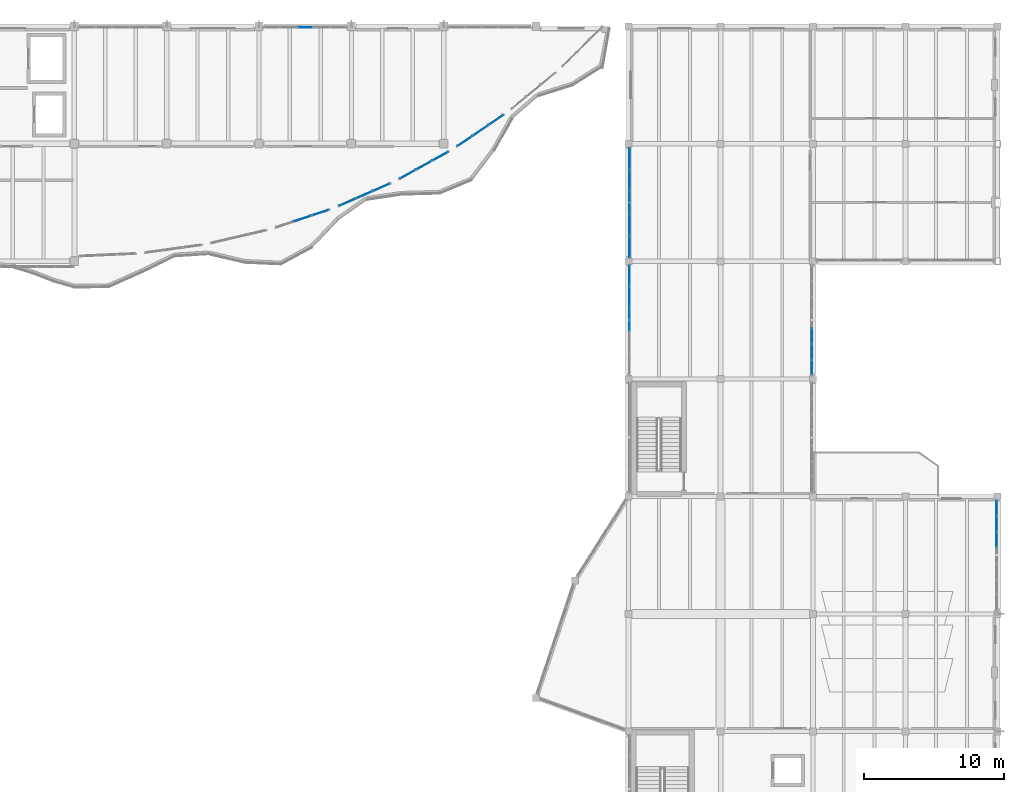
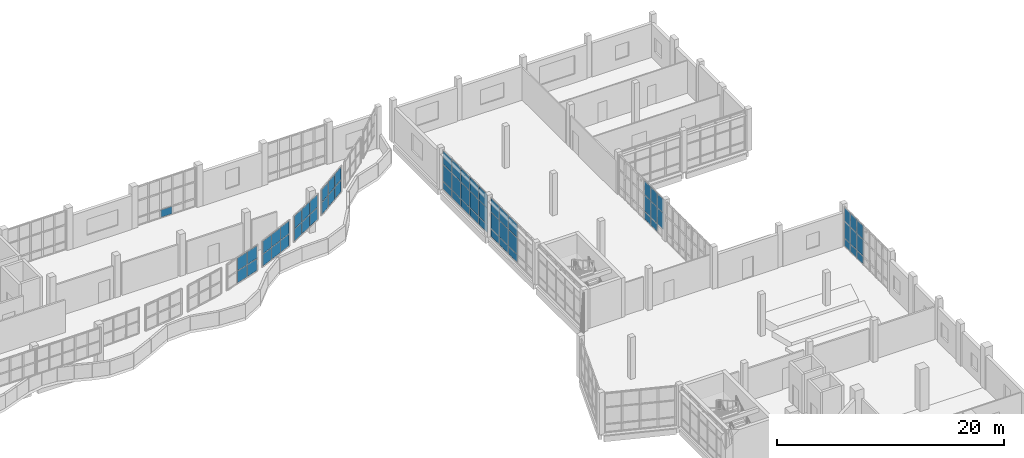
# One storey, part 41 of 76: 64 plates, 9 elements without a shape of their own.
"""IFC4 building model written with IfcOpenShell, lengths in metres."""

from ifc_helpers import new_model, si_unit, direction, frame, origin, origin_2d, place, context, subcontext, project, spatial, rectangle, extrude, material, layer, layer_set, type_object, element, aggregate, save


model = new_model("IFC4")

# Units and contexts
model_context = context("Model", 3, precision=1e-05, world=origin(), true_north=direction((0.0, 1.0)))
body_context = subcontext(model_context, "Body", "Model", "MODEL_VIEW")
ifc_project = project(units=[si_unit("LENGTHUNIT", "METRE"), si_unit("AREAUNIT", "SQUARE_METRE"), si_unit("VOLUMEUNIT", "CUBIC_METRE"), si_unit("PLANEANGLEUNIT", "RADIAN"), si_unit("MASSUNIT", "GRAM", prefix="KILO")], contexts=[model_context])

# Site, building, storey
site_placement = place(None, origin())
site = spatial("IfcSite", under=ifc_project, at=site_placement, CompositionType="ELEMENT")
building_placement = place(site_placement, origin())
building = spatial("IfcBuilding", under=site, at=building_placement, Name="Qaldarim Faculty of Natural and Applied Sciences", CompositionType="ELEMENT")
storey_placement = place(building_placement, frame((0.0, 0.0, 9.89990234375)))
storey = spatial("IfcBuildingStorey", under=building, at=storey_placement, Name="L02", CompositionType="ELEMENT", Elevation=9.89990234375)

# Curtain wall, plate
ifc_material_1 = material(Name="Anodised aluminium AW-6063", Category="aluminium")
curtain_wall_type_1 = type_object("IfcCurtainWallType", Name="CurtainWallSystem-M1200", PredefinedType="USERDEFINED", material=ifc_material_1)
curtain_wall_1_placement = place(storey_placement, origin())
curtain_wall_1 = element("IfcCurtainWall", 1, at=curtain_wall_1_placement, inside=storey, type_object=curtain_wall_type_1, Name="Curtain wall CW-L02-N-X20Y14", ObjectType="STICK CURTAIN WALL", PredefinedType="USERDEFINED")
ifc_material_2 = material(Name="Insulated low-e double glazing", Category="glass")
ifc_layer_1 = layer(ifc_material_2, 0.031982421875)
ifc_layer_set_1 = layer_set([ifc_layer_1], Name="Insulated low-e double glazing")
plate_type_1 = type_object("IfcPlateType", Name="SolarControlGlazingPanel-32", PredefinedType="CURTAIN_PANEL", material=ifc_layer_set_1)
plate_1_placement = place(storey_placement, frame((128.699951171875, 117.52001953125, 0.070068359375), z_axis=(0.0, 0.0, 1.0), x_axis=(-1.0, 0.0, 0.0)))
plate_1 = element("IfcPlate", 2, at=plate_1_placement, type_object=plate_type_1, Name="Glazed panel 3-1 of CW-L02-N-X20Y14", PredefinedType="CURTAIN_PANEL", context=body_context, shape_type="SweptSolid", body=[
    extrude(rectangle(XDim=1.132080078125, YDim=0.031982421875, at=origin_2d()), origin(), (0.0, 0.0, 1.0), 0.794921875),
])
aggregate(curtain_wall_1, [plate_1])

# Curtain wall, plates
curtain_wall_2_placement = place(storey_placement, origin())
curtain_wall_2 = element("IfcCurtainWall", 3, at=curtain_wall_2_placement, inside=storey, type_object=curtain_wall_type_1, Name="Curtain wall CW-L02-E-X25Y12", ObjectType="STICK CURTAIN WALL", PredefinedType="USERDEFINED")
plate_2_placement = place(storey_placement, frame((164.919921875, 93.2275390625, 0.93505859375), z_axis=(0.0, 0.0, 1.0), x_axis=(0.0, 1.0, 0.0)))
plate_2 = element("IfcPlate", 4, at=plate_2_placement, type_object=plate_type_1, Name="Glazed panel 1-2 of CW-L02-E-X25Y12", PredefinedType="CURTAIN_PANEL", context=body_context, shape_type="SweptSolid", body=[
    extrude(rectangle(XDim=1.02490234375, YDim=0.031982421875, at=origin_2d()), origin(), (0.0, 0.0, 1.0), 1.72998046875),
])
plate_3_placement = place(storey_placement, frame((164.919921875, 93.2275390625, 2.735107421875), z_axis=(0.0, 0.0, 1.0), x_axis=(0.0, 1.0, 0.0)))
plate_3 = element("IfcPlate", 5, at=plate_3_placement, type_object=plate_type_1, Name="Glazed panel 1-3 of CW-L02-E-X25Y12", PredefinedType="CURTAIN_PANEL", context=body_context, shape_type="SweptSolid", body=[
    extrude(rectangle(XDim=1.02490234375, YDim=0.031982421875, at=origin_2d()), origin(), (0.0, 0.0, 1.0), 1.43505859375),
])
plate_4_placement = place(storey_placement, frame((164.919921875, 94.340087890625, 0.070068359375), z_axis=(0.0, 0.0, 1.0), x_axis=(0.0, 1.0, 0.0)))
plate_4 = element("IfcPlate", 6, at=plate_4_placement, type_object=plate_type_1, Name="Glazed panel 2-1 of CW-L02-E-X25Y12", PredefinedType="CURTAIN_PANEL", context=body_context, shape_type="SweptSolid", body=[
    extrude(rectangle(XDim=1.06005859375, YDim=0.031982421875, at=origin_2d()), origin(), (0.0, 0.0, 1.0), 0.794921875),
])
plate_5_placement = place(storey_placement, frame((164.919921875, 94.340087890625, 0.93505859375), z_axis=(0.0, 0.0, 1.0), x_axis=(0.0, 1.0, 0.0)))
plate_5 = element("IfcPlate", 7, at=plate_5_placement, type_object=plate_type_1, Name="Glazed panel 2-2 of CW-L02-E-X25Y12", PredefinedType="CURTAIN_PANEL", context=body_context, shape_type="SweptSolid", body=[
    extrude(rectangle(XDim=1.06005859375, YDim=0.031982421875, at=origin_2d()), origin(), (0.0, 0.0, 1.0), 1.72998046875),
])
plate_6_placement = place(storey_placement, frame((164.919921875, 94.340087890625, 2.735107421875), z_axis=(0.0, 0.0, 1.0), x_axis=(0.0, 1.0, 0.0)))
plate_6 = element("IfcPlate", 8, at=plate_6_placement, type_object=plate_type_1, Name="Glazed panel 2-3 of CW-L02-E-X25Y12", PredefinedType="CURTAIN_PANEL", context=body_context, shape_type="SweptSolid", body=[
    extrude(rectangle(XDim=1.06005859375, YDim=0.031982421875, at=origin_2d()), origin(), (0.0, 0.0, 1.0), 1.43505859375),
])
plate_7_placement = place(storey_placement, frame((164.919921875, 95.469970703125, 0.070068359375), z_axis=(0.0, 0.0, 1.0), x_axis=(0.0, 1.0, 0.0)))
plate_7 = element("IfcPlate", 9, at=plate_7_placement, type_object=plate_type_1, Name="Glazed panel 3-1 of CW-L02-E-X25Y12", PredefinedType="CURTAIN_PANEL", context=body_context, shape_type="SweptSolid", body=[
    extrude(rectangle(XDim=1.06005859375, YDim=0.031982421875, at=origin_2d()), origin(), (0.0, 0.0, 1.0), 0.794921875),
])
plate_8_placement = place(storey_placement, frame((164.919921875, 95.469970703125, 0.93505859375), z_axis=(0.0, 0.0, 1.0), x_axis=(0.0, 1.0, 0.0)))
plate_8 = element("IfcPlate", 10, at=plate_8_placement, type_object=plate_type_1, Name="Glazed panel 3-2 of CW-L02-E-X25Y12", PredefinedType="CURTAIN_PANEL", context=body_context, shape_type="SweptSolid", body=[
    extrude(rectangle(XDim=1.06005859375, YDim=0.031982421875, at=origin_2d()), origin(), (0.0, 0.0, 1.0), 1.72998046875),
])
plate_9_placement = place(storey_placement, frame((164.919921875, 95.469970703125, 2.735107421875), z_axis=(0.0, 0.0, 1.0), x_axis=(0.0, 1.0, 0.0)))
plate_9 = element("IfcPlate", 11, at=plate_9_placement, type_object=plate_type_1, Name="Glazed panel 3-3 of CW-L02-E-X25Y12", PredefinedType="CURTAIN_PANEL", context=body_context, shape_type="SweptSolid", body=[
    extrude(rectangle(XDim=1.06005859375, YDim=0.031982421875, at=origin_2d()), origin(), (0.0, 0.0, 1.0), 1.43505859375),
])
aggregate(curtain_wall_2, [plate_2, plate_3, plate_4, plate_5, plate_6, plate_7, plate_8, plate_9])

curtain_wall_3_placement = place(storey_placement, origin())
curtain_wall_3 = element("IfcCurtainWall", 12, at=curtain_wall_3_placement, inside=storey, type_object=curtain_wall_type_1, Name="Curtain wall CW-L02-E-X27Y10", ObjectType="STICK CURTAIN WALL", PredefinedType="USERDEFINED")
plate_10_placement = place(storey_placement, frame((178.1201171875, 80.929931640625, 0.070068359375), z_axis=(0.0, 0.0, 1.0), x_axis=(0.0, 1.0, 0.0)))
plate_10 = element("IfcPlate", 13, at=plate_10_placement, type_object=plate_type_1, Name="Glazed panel 5-1 of CW-L02-E-X27Y10", PredefinedType="CURTAIN_PANEL", context=body_context, shape_type="SweptSolid", body=[
    extrude(rectangle(XDim=1.06005859375, YDim=0.031982421875, at=origin_2d()), origin(), (0.0, 0.0, 1.0), 0.794921875),
])
plate_11_placement = place(storey_placement, frame((178.1201171875, 80.929931640625, 0.93505859375), z_axis=(0.0, 0.0, 1.0), x_axis=(0.0, 1.0, 0.0)))
plate_11 = element("IfcPlate", 14, at=plate_11_placement, type_object=plate_type_1, Name="Glazed panel 5-2 of CW-L02-E-X27Y10", PredefinedType="CURTAIN_PANEL", context=body_context, shape_type="SweptSolid", body=[
    extrude(rectangle(XDim=1.06005859375, YDim=0.031982421875, at=origin_2d()), origin(), (0.0, 0.0, 1.0), 1.72998046875),
])
plate_12_placement = place(storey_placement, frame((178.1201171875, 80.929931640625, 2.735107421875), z_axis=(0.0, 0.0, 1.0), x_axis=(0.0, 1.0, 0.0)))
plate_12 = element("IfcPlate", 15, at=plate_12_placement, type_object=plate_type_1, Name="Glazed panel 5-3 of CW-L02-E-X27Y10", PredefinedType="CURTAIN_PANEL", context=body_context, shape_type="SweptSolid", body=[
    extrude(rectangle(XDim=1.06005859375, YDim=0.031982421875, at=origin_2d()), origin(), (0.0, 0.0, 1.0), 1.43505859375),
])
plate_13_placement = place(storey_placement, frame((178.1201171875, 82.06005859375, 0.070068359375), z_axis=(0.0, 0.0, 1.0), x_axis=(0.0, 1.0, 0.0)))
plate_13 = element("IfcPlate", 16, at=plate_13_placement, type_object=plate_type_1, Name="Glazed panel 6-1 of CW-L02-E-X27Y10", PredefinedType="CURTAIN_PANEL", context=body_context, shape_type="SweptSolid", body=[
    extrude(rectangle(XDim=1.06005859375, YDim=0.031982421875, at=origin_2d()), origin(), (0.0, 0.0, 1.0), 0.794921875),
])
plate_14_placement = place(storey_placement, frame((178.1201171875, 82.06005859375, 0.93505859375), z_axis=(0.0, 0.0, 1.0), x_axis=(0.0, 1.0, 0.0)))
plate_14 = element("IfcPlate", 17, at=plate_14_placement, type_object=plate_type_1, Name="Glazed panel 6-2 of CW-L02-E-X27Y10", PredefinedType="CURTAIN_PANEL", context=body_context, shape_type="SweptSolid", body=[
    extrude(rectangle(XDim=1.06005859375, YDim=0.031982421875, at=origin_2d()), origin(), (0.0, 0.0, 1.0), 1.72998046875),
])
plate_15_placement = place(storey_placement, frame((178.1201171875, 82.06005859375, 2.735107421875), z_axis=(0.0, 0.0, 1.0), x_axis=(0.0, 1.0, 0.0)))
plate_15 = element("IfcPlate", 18, at=plate_15_placement, type_object=plate_type_1, Name="Glazed panel 6-3 of CW-L02-E-X27Y10", PredefinedType="CURTAIN_PANEL", context=body_context, shape_type="SweptSolid", body=[
    extrude(rectangle(XDim=1.06005859375, YDim=0.031982421875, at=origin_2d()), origin(), (0.0, 0.0, 1.0), 1.43505859375),
])
plate_16_placement = place(storey_placement, frame((178.1201171875, 83.172607421875, 0.070068359375), z_axis=(0.0, 0.0, 1.0), x_axis=(0.0, 1.0, 0.0)))
plate_16 = element("IfcPlate", 19, at=plate_16_placement, type_object=plate_type_1, Name="Glazed panel 7-1 of CW-L02-E-X27Y10", PredefinedType="CURTAIN_PANEL", context=body_context, shape_type="SweptSolid", body=[
    extrude(rectangle(XDim=1.02490234375, YDim=0.031982421875, at=origin_2d()), origin(), (0.0, 0.0, 1.0), 0.794921875),
])
plate_17_placement = place(storey_placement, frame((178.1201171875, 83.172607421875, 0.93505859375), z_axis=(0.0, 0.0, 1.0), x_axis=(0.0, 1.0, 0.0)))
plate_17 = element("IfcPlate", 20, at=plate_17_placement, type_object=plate_type_1, Name="Glazed panel 7-2 of CW-L02-E-X27Y10", PredefinedType="CURTAIN_PANEL", context=body_context, shape_type="SweptSolid", body=[
    extrude(rectangle(XDim=1.02490234375, YDim=0.031982421875, at=origin_2d()), origin(), (0.0, 0.0, 1.0), 1.72998046875),
])
plate_18_placement = place(storey_placement, frame((178.1201171875, 83.172607421875, 2.735107421875), z_axis=(0.0, 0.0, 1.0), x_axis=(0.0, 1.0, 0.0)))
plate_18 = element("IfcPlate", 21, at=plate_18_placement, type_object=plate_type_1, Name="Glazed panel 7-3 of CW-L02-E-X27Y10", PredefinedType="CURTAIN_PANEL", context=body_context, shape_type="SweptSolid", body=[
    extrude(rectangle(XDim=1.02490234375, YDim=0.031982421875, at=origin_2d()), origin(), (0.0, 0.0, 1.0), 1.43505859375),
])
aggregate(curtain_wall_3, [plate_10, plate_11, plate_12, plate_13, plate_14, plate_15, plate_16, plate_17, plate_18])

curtain_wall_type_2 = type_object("IfcCurtainWallType", Name="CurtainWallSystem-M1600", PredefinedType="USERDEFINED", material=ifc_material_1)
curtain_wall_4_placement = place(storey_placement, origin())
curtain_wall_4 = element("IfcCurtainWall", 22, at=curtain_wall_4_placement, inside=storey, type_object=curtain_wall_type_2, Name="Curtain wall CW-L02-W-X24Y12", ObjectType="UNITISED FACADE", PredefinedType="USERDEFINED")
ifc_layer_2 = layer(ifc_material_2, 0.028076171875)
ifc_layer_set_2 = layer_set([ifc_layer_2], Name="Insulated low-e double glazing")
plate_type_2 = type_object("IfcPlateType", Name="VisionGlazingPanel-28", PredefinedType="CURTAIN_PANEL", material=ifc_layer_set_2)
plate_19_placement = place(storey_placement, frame((151.8798828125, 99.7490234375, 0.06005859375), z_axis=(0.0, 0.0, 1.0), x_axis=(0.0, -1.0, 0.0)))
plate_19 = element("IfcPlate", 23, at=plate_19_placement, type_object=plate_type_2, Name="Glazed panel 1-1 of CW-L02-W-X24Y12", PredefinedType="CURTAIN_PANEL", context=body_context, shape_type="SweptSolid", body=[
    extrude(rectangle(XDim=1.491943359375, YDim=0.028076171875, at=origin_2d()), origin(), (0.0, 0.0, 1.0), 0.81005859375),
])
plate_20_placement = place(storey_placement, frame((151.8798828125, 99.7490234375, 0.93017578125), z_axis=(0.0, 0.0, 1.0), x_axis=(0.0, -1.0, 0.0)))
plate_20 = element("IfcPlate", 24, at=plate_20_placement, type_object=plate_type_2, Name="Glazed panel 1-2 of CW-L02-W-X24Y12", PredefinedType="CURTAIN_PANEL", context=body_context, shape_type="SweptSolid", body=[
    extrude(rectangle(XDim=1.491943359375, YDim=0.028076171875, at=origin_2d()), origin(), (0.0, 0.0, 1.0), 1.739990234375),
])
plate_21_placement = place(storey_placement, frame((151.8798828125, 99.7490234375, 2.72998046875), z_axis=(0.0, 0.0, 1.0), x_axis=(0.0, -1.0, 0.0)))
plate_21 = element("IfcPlate", 25, at=plate_21_placement, type_object=plate_type_2, Name="Glazed panel 1-3 of CW-L02-W-X24Y12", PredefinedType="CURTAIN_PANEL", context=body_context, shape_type="SweptSolid", body=[
    extrude(rectangle(XDim=1.491943359375, YDim=0.028076171875, at=origin_2d()), origin(), (0.0, 0.0, 1.0), 1.449951171875),
])
plate_22_placement = place(storey_placement, frame((151.8798828125, 98.181884765625, 0.06005859375), z_axis=(0.0, 0.0, 1.0), x_axis=(0.0, -1.0, 0.0)))
plate_22 = element("IfcPlate", 26, at=plate_22_placement, type_object=plate_type_2, Name="Glazed panel 2-1 of CW-L02-W-X24Y12", PredefinedType="CURTAIN_PANEL", context=body_context, shape_type="SweptSolid", body=[
    extrude(rectangle(XDim=1.52197265625, YDim=0.028076171875, at=origin_2d()), origin(), (0.0, 0.0, 1.0), 0.81005859375),
])
plate_23_placement = place(storey_placement, frame((151.8798828125, 98.181884765625, 0.93017578125), z_axis=(0.0, 0.0, 1.0), x_axis=(0.0, -1.0, 0.0)))
plate_23 = element("IfcPlate", 27, at=plate_23_placement, type_object=plate_type_2, Name="Glazed panel 2-2 of CW-L02-W-X24Y12", PredefinedType="CURTAIN_PANEL", context=body_context, shape_type="SweptSolid", body=[
    extrude(rectangle(XDim=1.52197265625, YDim=0.028076171875, at=origin_2d()), origin(), (0.0, 0.0, 1.0), 1.739990234375),
])
plate_24_placement = place(storey_placement, frame((151.8798828125, 98.181884765625, 2.72998046875), z_axis=(0.0, 0.0, 1.0), x_axis=(0.0, -1.0, 0.0)))
plate_24 = element("IfcPlate", 28, at=plate_24_placement, type_object=plate_type_2, Name="Glazed panel 2-3 of CW-L02-W-X24Y12", PredefinedType="CURTAIN_PANEL", context=body_context, shape_type="SweptSolid", body=[
    extrude(rectangle(XDim=1.52197265625, YDim=0.028076171875, at=origin_2d()), origin(), (0.0, 0.0, 1.0), 1.449951171875),
])
plate_25_placement = place(storey_placement, frame((151.8798828125, 96.60009765625, 0.06005859375), z_axis=(0.0, 0.0, 1.0), x_axis=(0.0, -1.0, 0.0)))
plate_25 = element("IfcPlate", 29, at=plate_25_placement, type_object=plate_type_2, Name="Glazed panel 3-1 of CW-L02-W-X24Y12", PredefinedType="CURTAIN_PANEL", context=body_context, shape_type="SweptSolid", body=[
    extrude(rectangle(XDim=1.52197265625, YDim=0.028076171875, at=origin_2d()), origin(), (0.0, 0.0, 1.0), 0.81005859375),
])
plate_26_placement = place(storey_placement, frame((151.8798828125, 96.60009765625, 0.93017578125), z_axis=(0.0, 0.0, 1.0), x_axis=(0.0, -1.0, 0.0)))
plate_26 = element("IfcPlate", 30, at=plate_26_placement, type_object=plate_type_2, Name="Glazed panel 3-2 of CW-L02-W-X24Y12", PredefinedType="CURTAIN_PANEL", context=body_context, shape_type="SweptSolid", body=[
    extrude(rectangle(XDim=1.52197265625, YDim=0.028076171875, at=origin_2d()), origin(), (0.0, 0.0, 1.0), 1.739990234375),
])
plate_27_placement = place(storey_placement, frame((151.8798828125, 96.60009765625, 2.72998046875), z_axis=(0.0, 0.0, 1.0), x_axis=(0.0, -1.0, 0.0)))
plate_27 = element("IfcPlate", 31, at=plate_27_placement, type_object=plate_type_2, Name="Glazed panel 3-3 of CW-L02-W-X24Y12", PredefinedType="CURTAIN_PANEL", context=body_context, shape_type="SweptSolid", body=[
    extrude(rectangle(XDim=1.52197265625, YDim=0.028076171875, at=origin_2d()), origin(), (0.0, 0.0, 1.0), 1.449951171875),
])
aggregate(curtain_wall_4, [plate_19, plate_20, plate_21, plate_22, plate_23, plate_24, plate_25, plate_26, plate_27])

curtain_wall_5_placement = place(storey_placement, origin())
curtain_wall_5 = element("IfcCurtainWall", 32, at=curtain_wall_5_placement, inside=storey, type_object=curtain_wall_type_2, Name="Curtain wall CW-L02-W-X24Y13", ObjectType="UNITISED FACADE", PredefinedType="USERDEFINED")
plate_28_placement = place(storey_placement, frame((151.8798828125, 108.14892578125, 0.06005859375), z_axis=(0.0, 0.0, 1.0), x_axis=(0.0, -1.0, 0.0)))
plate_28 = element("IfcPlate", 33, at=plate_28_placement, type_object=plate_type_2, Name="Glazed panel 1-1 of CW-L02-W-X24Y13", PredefinedType="CURTAIN_PANEL", context=body_context, shape_type="SweptSolid", body=[
    extrude(rectangle(XDim=1.491943359375, YDim=0.028076171875, at=origin_2d()), origin(), (0.0, 0.0, 1.0), 0.81005859375),
])
plate_29_placement = place(storey_placement, frame((151.8798828125, 108.14892578125, 0.93017578125), z_axis=(0.0, 0.0, 1.0), x_axis=(0.0, -1.0, 0.0)))
plate_29 = element("IfcPlate", 34, at=plate_29_placement, type_object=plate_type_2, Name="Glazed panel 1-2 of CW-L02-W-X24Y13", PredefinedType="CURTAIN_PANEL", context=body_context, shape_type="SweptSolid", body=[
    extrude(rectangle(XDim=1.491943359375, YDim=0.028076171875, at=origin_2d()), origin(), (0.0, 0.0, 1.0), 1.739990234375),
])
plate_30_placement = place(storey_placement, frame((151.8798828125, 108.14892578125, 2.72998046875), z_axis=(0.0, 0.0, 1.0), x_axis=(0.0, -1.0, 0.0)))
plate_30 = element("IfcPlate", 35, at=plate_30_placement, type_object=plate_type_2, Name="Glazed panel 1-3 of CW-L02-W-X24Y13", PredefinedType="CURTAIN_PANEL", context=body_context, shape_type="SweptSolid", body=[
    extrude(rectangle(XDim=1.491943359375, YDim=0.028076171875, at=origin_2d()), origin(), (0.0, 0.0, 1.0), 1.449951171875),
])
plate_31_placement = place(storey_placement, frame((151.8798828125, 106.58203125, 0.06005859375), z_axis=(0.0, 0.0, 1.0), x_axis=(0.0, -1.0, 0.0)))
plate_31 = element("IfcPlate", 36, at=plate_31_placement, type_object=plate_type_2, Name="Glazed panel 2-1 of CW-L02-W-X24Y13", PredefinedType="CURTAIN_PANEL", context=body_context, shape_type="SweptSolid", body=[
    extrude(rectangle(XDim=1.52197265625, YDim=0.028076171875, at=origin_2d()), origin(), (0.0, 0.0, 1.0), 0.81005859375),
])
plate_32_placement = place(storey_placement, frame((151.8798828125, 106.58203125, 0.93017578125), z_axis=(0.0, 0.0, 1.0), x_axis=(0.0, -1.0, 0.0)))
plate_32 = element("IfcPlate", 37, at=plate_32_placement, type_object=plate_type_2, Name="Glazed panel 2-2 of CW-L02-W-X24Y13", PredefinedType="CURTAIN_PANEL", context=body_context, shape_type="SweptSolid", body=[
    extrude(rectangle(XDim=1.52197265625, YDim=0.028076171875, at=origin_2d()), origin(), (0.0, 0.0, 1.0), 1.739990234375),
])
plate_33_placement = place(storey_placement, frame((151.8798828125, 106.58203125, 2.72998046875), z_axis=(0.0, 0.0, 1.0), x_axis=(0.0, -1.0, 0.0)))
plate_33 = element("IfcPlate", 38, at=plate_33_placement, type_object=plate_type_2, Name="Glazed panel 2-3 of CW-L02-W-X24Y13", PredefinedType="CURTAIN_PANEL", context=body_context, shape_type="SweptSolid", body=[
    extrude(rectangle(XDim=1.52197265625, YDim=0.028076171875, at=origin_2d()), origin(), (0.0, 0.0, 1.0), 1.449951171875),
])
plate_34_placement = place(storey_placement, frame((151.8798828125, 105.0, 0.06005859375), z_axis=(0.0, 0.0, 1.0), x_axis=(0.0, -1.0, 0.0)))
plate_34 = element("IfcPlate", 39, at=plate_34_placement, type_object=plate_type_2, Name="Glazed panel 3-1 of CW-L02-W-X24Y13", PredefinedType="CURTAIN_PANEL", context=body_context, shape_type="SweptSolid", body=[
    extrude(rectangle(XDim=1.52197265625, YDim=0.028076171875, at=origin_2d()), origin(), (0.0, 0.0, 1.0), 0.81005859375),
])
plate_35_placement = place(storey_placement, frame((151.8798828125, 105.0, 0.93017578125), z_axis=(0.0, 0.0, 1.0), x_axis=(0.0, -1.0, 0.0)))
plate_35 = element("IfcPlate", 40, at=plate_35_placement, type_object=plate_type_2, Name="Glazed panel 3-2 of CW-L02-W-X24Y13", PredefinedType="CURTAIN_PANEL", context=body_context, shape_type="SweptSolid", body=[
    extrude(rectangle(XDim=1.52197265625, YDim=0.028076171875, at=origin_2d()), origin(), (0.0, 0.0, 1.0), 1.739990234375),
])
plate_36_placement = place(storey_placement, frame((151.8798828125, 105.0, 2.72998046875), z_axis=(0.0, 0.0, 1.0), x_axis=(0.0, -1.0, 0.0)))
plate_36 = element("IfcPlate", 41, at=plate_36_placement, type_object=plate_type_2, Name="Glazed panel 3-3 of CW-L02-W-X24Y13", PredefinedType="CURTAIN_PANEL", context=body_context, shape_type="SweptSolid", body=[
    extrude(rectangle(XDim=1.52197265625, YDim=0.028076171875, at=origin_2d()), origin(), (0.0, 0.0, 1.0), 1.449951171875),
])
plate_37_placement = place(storey_placement, frame((151.8798828125, 103.41796875, 0.06005859375), z_axis=(0.0, 0.0, 1.0), x_axis=(0.0, -1.0, 0.0)))
plate_37 = element("IfcPlate", 42, at=plate_37_placement, type_object=plate_type_2, Name="Glazed panel 4-1 of CW-L02-W-X24Y13", PredefinedType="CURTAIN_PANEL", context=body_context, shape_type="SweptSolid", body=[
    extrude(rectangle(XDim=1.52197265625, YDim=0.028076171875, at=origin_2d()), origin(), (0.0, 0.0, 1.0), 0.81005859375),
])
plate_38_placement = place(storey_placement, frame((151.8798828125, 103.41796875, 0.93017578125), z_axis=(0.0, 0.0, 1.0), x_axis=(0.0, -1.0, 0.0)))
plate_38 = element("IfcPlate", 43, at=plate_38_placement, type_object=plate_type_2, Name="Glazed panel 4-2 of CW-L02-W-X24Y13", PredefinedType="CURTAIN_PANEL", context=body_context, shape_type="SweptSolid", body=[
    extrude(rectangle(XDim=1.52197265625, YDim=0.028076171875, at=origin_2d()), origin(), (0.0, 0.0, 1.0), 1.739990234375),
])
plate_39_placement = place(storey_placement, frame((151.8798828125, 103.41796875, 2.72998046875), z_axis=(0.0, 0.0, 1.0), x_axis=(0.0, -1.0, 0.0)))
plate_39 = element("IfcPlate", 44, at=plate_39_placement, type_object=plate_type_2, Name="Glazed panel 4-3 of CW-L02-W-X24Y13", PredefinedType="CURTAIN_PANEL", context=body_context, shape_type="SweptSolid", body=[
    extrude(rectangle(XDim=1.52197265625, YDim=0.028076171875, at=origin_2d()), origin(), (0.0, 0.0, 1.0), 1.449951171875),
])
plate_40_placement = place(storey_placement, frame((151.8798828125, 101.85107421875, 0.06005859375), z_axis=(0.0, 0.0, 1.0), x_axis=(0.0, -1.0, 0.0)))
plate_40 = element("IfcPlate", 45, at=plate_40_placement, type_object=plate_type_2, Name="Glazed panel 5-1 of CW-L02-W-X24Y13", PredefinedType="CURTAIN_PANEL", context=body_context, shape_type="SweptSolid", body=[
    extrude(rectangle(XDim=1.491943359375, YDim=0.028076171875, at=origin_2d()), origin(), (0.0, 0.0, 1.0), 0.81005859375),
])
plate_41_placement = place(storey_placement, frame((151.8798828125, 101.85107421875, 0.93017578125), z_axis=(0.0, 0.0, 1.0), x_axis=(0.0, -1.0, 0.0)))
plate_41 = element("IfcPlate", 46, at=plate_41_placement, type_object=plate_type_2, Name="Glazed panel 5-2 of CW-L02-W-X24Y13", PredefinedType="CURTAIN_PANEL", context=body_context, shape_type="SweptSolid", body=[
    extrude(rectangle(XDim=1.491943359375, YDim=0.028076171875, at=origin_2d()), origin(), (0.0, 0.0, 1.0), 1.739990234375),
])
plate_42_placement = place(storey_placement, frame((151.8798828125, 101.85107421875, 2.72998046875), z_axis=(0.0, 0.0, 1.0), x_axis=(0.0, -1.0, 0.0)))
plate_42 = element("IfcPlate", 47, at=plate_42_placement, type_object=plate_type_2, Name="Glazed panel 5-3 of CW-L02-W-X24Y13", PredefinedType="CURTAIN_PANEL", context=body_context, shape_type="SweptSolid", body=[
    extrude(rectangle(XDim=1.491943359375, YDim=0.028076171875, at=origin_2d()), origin(), (0.0, 0.0, 1.0), 1.449951171875),
])
aggregate(curtain_wall_5, [plate_28, plate_29, plate_30, plate_31, plate_32, plate_33, plate_34, plate_35, plate_36, plate_37, plate_38, plate_39, plate_40, plate_41, plate_42])

curtain_wall_type_3 = type_object("IfcCurtainWallType", Name="CurtainWallSystem-M1400", PredefinedType="USERDEFINED", material=ifc_material_1)
curtain_wall_6_placement = place(storey_placement, origin())
curtain_wall_6 = element("IfcCurtainWall", 48, at=curtain_wall_6_placement, inside=storey, type_object=curtain_wall_type_3, Name="Curtain wall CW-V4ARC-L02-06", ObjectType="STICK CURTAIN WALL", PredefinedType="USERDEFINED")
plate_43_placement = place(storey_placement, frame((128.512451171875, 103.85009765625, 1.51025390625), z_axis=(0.0, 0.0, 1.0), x_axis=(0.94856152259, 0.316592858196, 0.0)))
plate_43 = element("IfcPlate", 49, at=plate_43_placement, type_object=plate_type_2, Name="Glazed panel 2-1 of CW-V4ARC-L02-06", PredefinedType="CURTAIN_PANEL", context=body_context, shape_type="SweptSolid", body=[
    extrude(rectangle(XDim=1.28759765625, YDim=0.028076171875, at=origin_2d()), origin(), (0.0, 0.0, 1.0), 1.260009765625),
])
plate_44_placement = place(storey_placement, frame((128.512451171875, 103.85009765625, 2.830078125), z_axis=(0.0, 0.0, 1.0), x_axis=(0.94856152259, 0.316592858196, 0.0)))
plate_44 = element("IfcPlate", 50, at=plate_44_placement, type_object=plate_type_2, Name="Glazed panel 2-2 of CW-V4ARC-L02-06", PredefinedType="CURTAIN_PANEL", context=body_context, shape_type="SweptSolid", body=[
    extrude(rectangle(XDim=1.28759765625, YDim=0.028076171875, at=origin_2d()), origin(), (0.0, 0.0, 1.0), 1.35009765625),
])
plate_45_placement = place(storey_placement, frame((129.776611328125, 104.27197265625, 1.51025390625), z_axis=(0.0, 0.0, 1.0), x_axis=(0.94856152259, 0.316592858196, 0.0)))
plate_45 = element("IfcPlate", 51, at=plate_45_placement, type_object=plate_type_2, Name="Glazed panel 3-1 of CW-V4ARC-L02-06", PredefinedType="CURTAIN_PANEL", context=body_context, shape_type="SweptSolid", body=[
    extrude(rectangle(XDim=1.2578125, YDim=0.028076171875, at=origin_2d()), origin(), (0.0, 0.0, 1.0), 1.260009765625),
])
plate_46_placement = place(storey_placement, frame((129.776611328125, 104.27197265625, 2.830078125), z_axis=(0.0, 0.0, 1.0), x_axis=(0.94856152259, 0.316592858196, 0.0)))
plate_46 = element("IfcPlate", 52, at=plate_46_placement, type_object=plate_type_2, Name="Glazed panel 3-2 of CW-V4ARC-L02-06", PredefinedType="CURTAIN_PANEL", context=body_context, shape_type="SweptSolid", body=[
    extrude(rectangle(XDim=1.2578125, YDim=0.028076171875, at=origin_2d()), origin(), (0.0, 0.0, 1.0), 1.35009765625),
])
aggregate(curtain_wall_6, [plate_43, plate_44, plate_45, plate_46])

curtain_wall_7_placement = place(storey_placement, origin())
curtain_wall_7 = element("IfcCurtainWall", 53, at=curtain_wall_7_placement, inside=storey, type_object=curtain_wall_type_3, Name="Curtain wall CW-V4ARC-L02-08", ObjectType="STICK CURTAIN WALL", PredefinedType="USERDEFINED")
plate_47_placement = place(storey_placement, frame((131.71630859375, 105.017578125, 1.51025390625), z_axis=(0.0, 0.0, 1.0), x_axis=(0.915332565632, 0.40269876371, 0.0)))
plate_47 = element("IfcPlate", 54, at=plate_47_placement, type_object=plate_type_2, Name="Glazed panel 1-1 of CW-V4ARC-L02-08", PredefinedType="CURTAIN_PANEL", context=body_context, shape_type="SweptSolid", body=[
    extrude(rectangle(XDim=1.25927734375, YDim=0.028076171875, at=origin_2d()), origin(), (0.0, 0.0, 1.0), 1.260009765625),
])
plate_48_placement = place(storey_placement, frame((131.71630859375, 105.017578125, 2.830078125), z_axis=(0.0, 0.0, 1.0), x_axis=(0.915332565632, 0.40269876371, 0.0)))
plate_48 = element("IfcPlate", 55, at=plate_48_placement, type_object=plate_type_2, Name="Glazed panel 1-2 of CW-V4ARC-L02-08", PredefinedType="CURTAIN_PANEL", context=body_context, shape_type="SweptSolid", body=[
    extrude(rectangle(XDim=1.25927734375, YDim=0.028076171875, at=origin_2d()), origin(), (0.0, 0.0, 1.0), 1.35009765625),
])
plate_49_placement = place(storey_placement, frame((132.9375, 105.554931640625, 1.51025390625), z_axis=(0.0, 0.0, 1.0), x_axis=(0.915332565632, 0.40269876371, 0.0)))
plate_49 = element("IfcPlate", 56, at=plate_49_placement, type_object=plate_type_2, Name="Glazed panel 2-1 of CW-V4ARC-L02-08", PredefinedType="CURTAIN_PANEL", context=body_context, shape_type="SweptSolid", body=[
    extrude(rectangle(XDim=1.289306640625, YDim=0.028076171875, at=origin_2d()), origin(), (0.0, 0.0, 1.0), 1.260009765625),
])
plate_50_placement = place(storey_placement, frame((132.9375, 105.554931640625, 2.830078125), z_axis=(0.0, 0.0, 1.0), x_axis=(0.915332565632, 0.40269876371, 0.0)))
plate_50 = element("IfcPlate", 57, at=plate_50_placement, type_object=plate_type_2, Name="Glazed panel 2-2 of CW-V4ARC-L02-08", PredefinedType="CURTAIN_PANEL", context=body_context, shape_type="SweptSolid", body=[
    extrude(rectangle(XDim=1.289306640625, YDim=0.028076171875, at=origin_2d()), origin(), (0.0, 0.0, 1.0), 1.35009765625),
])
plate_51_placement = place(storey_placement, frame((134.15869140625, 106.09228515625, 1.51025390625), z_axis=(0.0, 0.0, 1.0), x_axis=(0.915332565632, 0.40269876371, 0.0)))
plate_51 = element("IfcPlate", 58, at=plate_51_placement, type_object=plate_type_2, Name="Glazed panel 3-1 of CW-V4ARC-L02-08", PredefinedType="CURTAIN_PANEL", context=body_context, shape_type="SweptSolid", body=[
    extrude(rectangle(XDim=1.25927734375, YDim=0.028076171875, at=origin_2d()), origin(), (0.0, 0.0, 1.0), 1.260009765625),
])
plate_52_placement = place(storey_placement, frame((134.15869140625, 106.09228515625, 2.830078125), z_axis=(0.0, 0.0, 1.0), x_axis=(0.915332565632, 0.40269876371, 0.0)))
plate_52 = element("IfcPlate", 59, at=plate_52_placement, type_object=plate_type_2, Name="Glazed panel 3-2 of CW-V4ARC-L02-08", PredefinedType="CURTAIN_PANEL", context=body_context, shape_type="SweptSolid", body=[
    extrude(rectangle(XDim=1.25927734375, YDim=0.028076171875, at=origin_2d()), origin(), (0.0, 0.0, 1.0), 1.35009765625),
])
aggregate(curtain_wall_7, [plate_47, plate_48, plate_49, plate_50, plate_51, plate_52])

curtain_wall_8_placement = place(storey_placement, origin())
curtain_wall_8 = element("IfcCurtainWall", 60, at=curtain_wall_8_placement, inside=storey, type_object=curtain_wall_type_3, Name="Curtain wall CW-V4ARC-L02-10", ObjectType="STICK CURTAIN WALL", PredefinedType="USERDEFINED")
plate_53_placement = place(storey_placement, frame((136.01806640625, 107.013916015625, 1.51025390625), z_axis=(0.0, 0.0, 1.0), x_axis=(0.874856525367, 0.484382142552, 0.0)))
plate_53 = element("IfcPlate", 61, at=plate_53_placement, type_object=plate_type_2, Name="Glazed panel 1-1 of CW-V4ARC-L02-10", PredefinedType="CURTAIN_PANEL", context=body_context, shape_type="SweptSolid", body=[
    extrude(rectangle(XDim=1.2587890625, YDim=0.028076171875, at=origin_2d()), origin(), (0.0, 0.0, 1.0), 1.260009765625),
])
plate_54_placement = place(storey_placement, frame((136.01806640625, 107.013916015625, 2.830078125), z_axis=(0.0, 0.0, 1.0), x_axis=(0.874856525367, 0.484382142552, 0.0)))
plate_54 = element("IfcPlate", 62, at=plate_54_placement, type_object=plate_type_2, Name="Glazed panel 1-2 of CW-V4ARC-L02-10", PredefinedType="CURTAIN_PANEL", context=body_context, shape_type="SweptSolid", body=[
    extrude(rectangle(XDim=1.2587890625, YDim=0.028076171875, at=origin_2d()), origin(), (0.0, 0.0, 1.0), 1.35009765625),
])
plate_55_placement = place(storey_placement, frame((137.18505859375, 107.659912109375, 1.51025390625), z_axis=(0.0, 0.0, 1.0), x_axis=(0.874856525367, 0.484382142552, 0.0)))
plate_55 = element("IfcPlate", 63, at=plate_55_placement, type_object=plate_type_2, Name="Glazed panel 2-1 of CW-V4ARC-L02-10", PredefinedType="CURTAIN_PANEL", context=body_context, shape_type="SweptSolid", body=[
    extrude(rectangle(XDim=1.288818359375, YDim=0.028076171875, at=origin_2d()), origin(), (0.0, 0.0, 1.0), 1.260009765625),
])
plate_56_placement = place(storey_placement, frame((137.18505859375, 107.659912109375, 2.830078125), z_axis=(0.0, 0.0, 1.0), x_axis=(0.874856525367, 0.484382142552, 0.0)))
plate_56 = element("IfcPlate", 64, at=plate_56_placement, type_object=plate_type_2, Name="Glazed panel 2-2 of CW-V4ARC-L02-10", PredefinedType="CURTAIN_PANEL", context=body_context, shape_type="SweptSolid", body=[
    extrude(rectangle(XDim=1.288818359375, YDim=0.028076171875, at=origin_2d()), origin(), (0.0, 0.0, 1.0), 1.35009765625),
])
plate_57_placement = place(storey_placement, frame((138.351806640625, 108.30615234375, 1.51025390625), z_axis=(0.0, 0.0, 1.0), x_axis=(0.874856525367, 0.484382142552, 0.0)))
plate_57 = element("IfcPlate", 65, at=plate_57_placement, type_object=plate_type_2, Name="Glazed panel 3-1 of CW-V4ARC-L02-10", PredefinedType="CURTAIN_PANEL", context=body_context, shape_type="SweptSolid", body=[
    extrude(rectangle(XDim=1.2587890625, YDim=0.028076171875, at=origin_2d()), origin(), (0.0, 0.0, 1.0), 1.260009765625),
])
plate_58_placement = place(storey_placement, frame((138.351806640625, 108.30615234375, 2.830078125), z_axis=(0.0, 0.0, 1.0), x_axis=(0.874856525367, 0.484382142552, 0.0)))
plate_58 = element("IfcPlate", 66, at=plate_58_placement, type_object=plate_type_2, Name="Glazed panel 3-2 of CW-V4ARC-L02-10", PredefinedType="CURTAIN_PANEL", context=body_context, shape_type="SweptSolid", body=[
    extrude(rectangle(XDim=1.2587890625, YDim=0.028076171875, at=origin_2d()), origin(), (0.0, 0.0, 1.0), 1.35009765625),
])
aggregate(curtain_wall_8, [plate_53, plate_54, plate_55, plate_56, plate_57, plate_58])

curtain_wall_9_placement = place(storey_placement, origin())
curtain_wall_9 = element("IfcCurtainWall", 67, at=curtain_wall_9_placement, inside=storey, type_object=curtain_wall_type_3, Name="Curtain wall CW-V4ARC-L02-12", ObjectType="STICK CURTAIN WALL", PredefinedType="USERDEFINED")
plate_59_placement = place(storey_placement, frame((140.119873046875, 109.392578125, 1.51025390625), z_axis=(0.0, 0.0, 1.0), x_axis=(0.826884319778, 0.562372049186, 0.0)))
plate_59 = element("IfcPlate", 68, at=plate_59_placement, type_object=plate_type_2, Name="Glazed panel 1-1 of CW-V4ARC-L02-12", PredefinedType="CURTAIN_PANEL", context=body_context, shape_type="SweptSolid", body=[
    extrude(rectangle(XDim=1.25830078125, YDim=0.028076171875, at=origin_2d()), origin(), (0.0, 0.0, 1.0), 1.260009765625),
])
plate_60_placement = place(storey_placement, frame((140.119873046875, 109.392578125, 2.830078125), z_axis=(0.0, 0.0, 1.0), x_axis=(0.826884319778, 0.562372049186, 0.0)))
plate_60 = element("IfcPlate", 69, at=plate_60_placement, type_object=plate_type_2, Name="Glazed panel 1-2 of CW-V4ARC-L02-12", PredefinedType="CURTAIN_PANEL", context=body_context, shape_type="SweptSolid", body=[
    extrude(rectangle(XDim=1.25830078125, YDim=0.028076171875, at=origin_2d()), origin(), (0.0, 0.0, 1.0), 1.35009765625),
])
plate_61_placement = place(storey_placement, frame((141.222412109375, 110.142578125, 1.51025390625), z_axis=(0.0, 0.0, 1.0), x_axis=(0.826884319778, 0.562372049186, 0.0)))
plate_61 = element("IfcPlate", 70, at=plate_61_placement, type_object=plate_type_2, Name="Glazed panel 2-1 of CW-V4ARC-L02-12", PredefinedType="CURTAIN_PANEL", context=body_context, shape_type="SweptSolid", body=[
    extrude(rectangle(XDim=1.288330078125, YDim=0.028076171875, at=origin_2d()), origin(), (0.0, 0.0, 1.0), 1.260009765625),
])
plate_62_placement = place(storey_placement, frame((141.222412109375, 110.142578125, 2.830078125), z_axis=(0.0, 0.0, 1.0), x_axis=(0.826884319778, 0.562372049186, 0.0)))
plate_62 = element("IfcPlate", 71, at=plate_62_placement, type_object=plate_type_2, Name="Glazed panel 2-2 of CW-V4ARC-L02-12", PredefinedType="CURTAIN_PANEL", context=body_context, shape_type="SweptSolid", body=[
    extrude(rectangle(XDim=1.288330078125, YDim=0.028076171875, at=origin_2d()), origin(), (0.0, 0.0, 1.0), 1.35009765625),
])
plate_63_placement = place(storey_placement, frame((142.3251953125, 110.892333984375, 1.51025390625), z_axis=(0.0, 0.0, 1.0), x_axis=(0.826884319778, 0.562372049186, 0.0)))
plate_63 = element("IfcPlate", 72, at=plate_63_placement, type_object=plate_type_2, Name="Glazed panel 3-1 of CW-V4ARC-L02-12", PredefinedType="CURTAIN_PANEL", context=body_context, shape_type="SweptSolid", body=[
    extrude(rectangle(XDim=1.25830078125, YDim=0.028076171875, at=origin_2d()), origin(), (0.0, 0.0, 1.0), 1.260009765625),
])
plate_64_placement = place(storey_placement, frame((142.3251953125, 110.892333984375, 2.830078125), z_axis=(0.0, 0.0, 1.0), x_axis=(0.826884319778, 0.562372049186, 0.0)))
plate_64 = element("IfcPlate", 73, at=plate_64_placement, type_object=plate_type_2, Name="Glazed panel 3-2 of CW-V4ARC-L02-12", PredefinedType="CURTAIN_PANEL", context=body_context, shape_type="SweptSolid", body=[
    extrude(rectangle(XDim=1.25830078125, YDim=0.028076171875, at=origin_2d()), origin(), (0.0, 0.0, 1.0), 1.35009765625),
])
aggregate(curtain_wall_9, [plate_59, plate_60, plate_61, plate_62, plate_63, plate_64])

save(model, "model.ifc")
